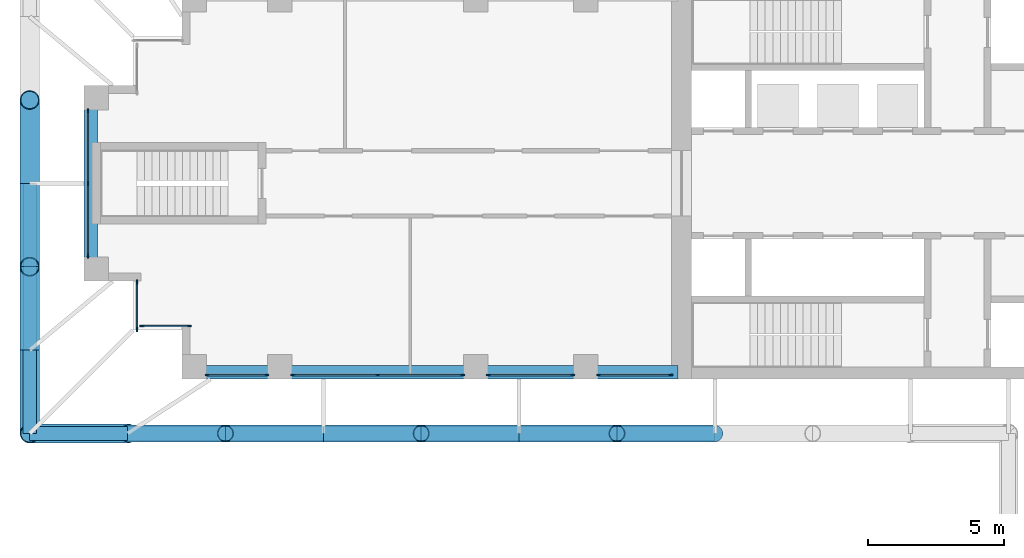
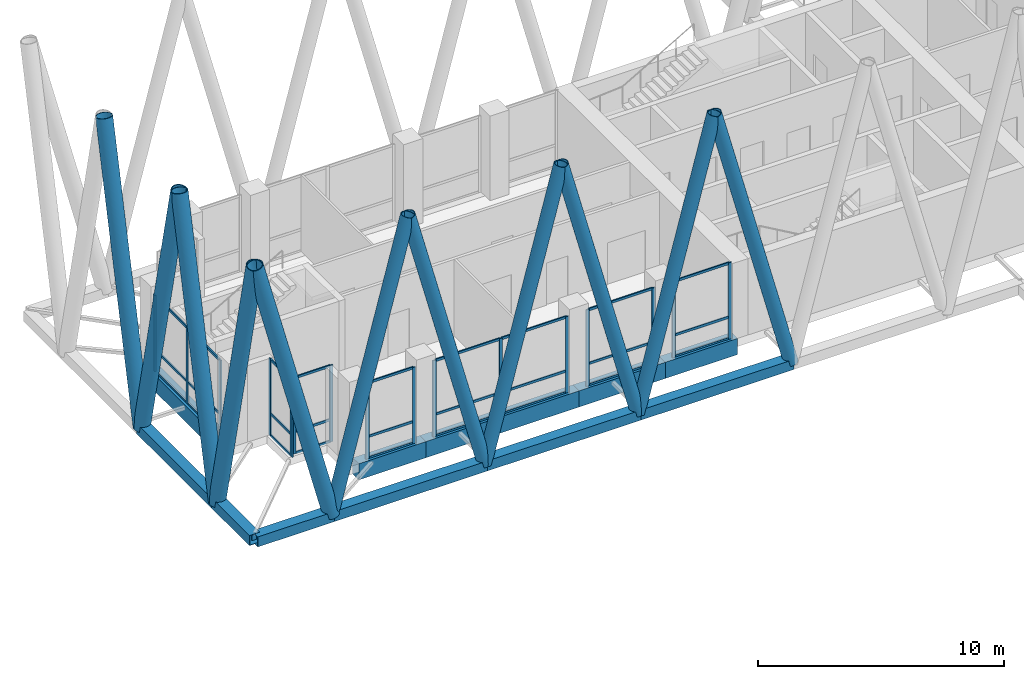
# One storey, part 3 of 22: 60 members, 5 beams, 7 elements without a shape of their own.
"""IFC4 building model written with IfcOpenShell, lengths in metres."""

from ifc_helpers import new_model, si_unit, direction, frame, origin, origin_2d, place, context, subcontext, project, spatial, rectangle, hollow_rectangle, hollow_circle, extrude, material, material_profile, profile_set, type_object, element, aggregate, save


model = new_model("IFC4")

# Units and contexts
model_context = context("Model", 3, precision=1e-05, world=origin(), true_north=direction((0.0, 1.0)))
body_context = subcontext(model_context, "Body", "Model", "MODEL_VIEW")
ifc_project = project(units=[si_unit("LENGTHUNIT", "METRE"), si_unit("AREAUNIT", "SQUARE_METRE"), si_unit("VOLUMEUNIT", "CUBIC_METRE"), si_unit("PLANEANGLEUNIT", "RADIAN"), si_unit("MASSUNIT", "GRAM", prefix="KILO")], contexts=[model_context])

# Site, building, storey
site_placement = place(None, origin())
site = spatial("IfcSite", under=ifc_project, at=site_placement, CompositionType="ELEMENT")
building_placement = place(site_placement, origin())
building = spatial("IfcBuilding", under=site, at=building_placement, Name="Fustian Cross Tower", CompositionType="ELEMENT")
storey_placement = place(building_placement, frame((0.0, 0.0, 116.10009765625)))
storey = spatial("IfcBuildingStorey", under=building, at=storey_placement, Name="L36", CompositionType="ELEMENT", Elevation=116.10009765625)

# Curtain wall, members
ifc_material_1 = material(Name="Dark anodised aluminium and double glazing", Category="aluminium")
curtain_wall_type = type_object("IfcCurtainWallType", Name="CW1 LOUNGE CURTAIN WALL", PredefinedType="NOTDEFINED", material=ifc_material_1)
curtain_wall_1_placement = place(storey_placement, origin())
curtain_wall_1 = element("IfcCurtainWall", 1, at=curtain_wall_1_placement, inside=storey, type_object=curtain_wall_type, Name="Curtain wall", PredefinedType="NOTDEFINED")
ifc_material_2 = material(Name="Aluminium alloy 6063", Category="aluminium")
ifc_material_profile_1 = material_profile(ifc_material_2, rectangle(XDim=0.06005859375, YDim=0.159912109375, at=origin_2d()), Name="CW1 MULLION 60X160")
ifc_profile_set_1 = profile_set([ifc_material_profile_1], Name="Aluminium alloy 6063")
member_type_1 = type_object("IfcMemberType", Name="CW1 MULLION 60X160", PredefinedType="MULLION", material=ifc_profile_set_1)
member_1_placement = place(storey_placement, frame((-43.050048828125, 2.669921875, 0.0), z_axis=(0.0, 0.0, 1.0), x_axis=(1.0, 0.0, 0.0)))
member_1 = element("IfcMember", 2, at=member_1_placement, type_object=member_type_1, Name="CW1 mullion 1", PredefinedType="MULLION", context=body_context, shape_type="SweptSolid", body=[
    extrude(rectangle(XDim=0.06005859375, YDim=0.159912109375, at=origin_2d()), origin(), (0.0, 0.0, 1.0), 3.7998046875),
])
member_2_placement = place(storey_placement, frame((-43.050048828125, 0.0, 0.0), z_axis=(0.0, 0.0, 1.0), x_axis=(1.0, 0.0, 0.0)))
member_2 = element("IfcMember", 3, at=member_2_placement, type_object=member_type_1, Name="CW1 mullion 2", PredefinedType="MULLION", context=body_context, shape_type="SweptSolid", body=[
    extrude(rectangle(XDim=0.06005859375, YDim=0.159912109375, at=origin_2d()), origin(), (0.0, 0.0, 1.0), 3.7998046875),
])
member_3_placement = place(storey_placement, frame((-43.050048828125, -2.669921875, 0.0), z_axis=(0.0, 0.0, 1.0), x_axis=(1.0, 0.0, 0.0)))
member_3 = element("IfcMember", 4, at=member_3_placement, type_object=member_type_1, Name="CW1 mullion 3", PredefinedType="MULLION", context=body_context, shape_type="SweptSolid", body=[
    extrude(rectangle(XDim=0.06005859375, YDim=0.159912109375, at=origin_2d()), origin(), (0.0, 0.0, 1.0), 3.7998046875),
])

curtain_wall_2_placement = place(storey_placement, origin())
curtain_wall_2 = element("IfcCurtainWall", 5, at=curtain_wall_2_placement, inside=storey, type_object=curtain_wall_type, Name="Curtain wall", PredefinedType="NOTDEFINED")
member_4_placement = place(storey_placement, frame((-41.25, -3.6298828125, 0.0), z_axis=(0.0, 0.0, 1.0), x_axis=(1.0, 0.0, 0.0)))
member_4 = element("IfcMember", 6, at=member_4_placement, type_object=member_type_1, Name="CW1 mullion 1", PredefinedType="MULLION", context=body_context, shape_type="SweptSolid", body=[
    extrude(rectangle(XDim=0.06005859375, YDim=0.159912109375, at=origin_2d()), origin(), (0.0, 0.0, 1.0), 3.7998046875),
])
member_5_placement = place(storey_placement, frame((-41.25, -5.3701171875, 0.0), z_axis=(0.0, 0.0, 1.0), x_axis=(1.0, 0.0, 0.0)))
member_5 = element("IfcMember", 7, at=member_5_placement, type_object=member_type_1, Name="CW1 mullion 2", PredefinedType="MULLION", context=body_context, shape_type="SweptSolid", body=[
    extrude(rectangle(XDim=0.06005859375, YDim=0.159912109375, at=origin_2d()), origin(), (0.0, 0.0, 1.0), 3.7998046875),
])

curtain_wall_3_placement = place(storey_placement, origin())
curtain_wall_3 = element("IfcCurtainWall", 8, at=curtain_wall_3_placement, inside=storey, type_object=curtain_wall_type, Name="Curtain wall", PredefinedType="NOTDEFINED")
member_6_placement = place(storey_placement, frame((-41.070068359375, -5.25, 0.0), z_axis=(0.0, 0.0, 1.0), x_axis=(0.0, 1.0, 0.0)))
member_6 = element("IfcMember", 9, at=member_6_placement, type_object=member_type_1, Name="CW1 mullion 1", PredefinedType="MULLION", context=body_context, shape_type="SweptSolid", body=[
    extrude(rectangle(XDim=0.06005859375, YDim=0.159912109375, at=origin_2d()), origin(), (0.0, 0.0, 1.0), 3.7998046875),
])
member_7_placement = place(storey_placement, frame((-39.330078125, -5.25, 0.0), z_axis=(0.0, 0.0, 1.0), x_axis=(0.0, 1.0, 0.0)))
member_7 = element("IfcMember", 10, at=member_7_placement, type_object=member_type_1, Name="CW1 mullion 2", PredefinedType="MULLION", context=body_context, shape_type="SweptSolid", body=[
    extrude(rectangle(XDim=0.06005859375, YDim=0.159912109375, at=origin_2d()), origin(), (0.0, 0.0, 1.0), 3.7998046875),
])

curtain_wall_4_placement = place(storey_placement, origin())
curtain_wall_4 = element("IfcCurtainWall", 11, at=curtain_wall_4_placement, inside=storey, type_object=curtain_wall_type, Name="Curtain wall", PredefinedType="NOTDEFINED")
member_8_placement = place(storey_placement, frame((-38.669921875, -7.050048828125, 0.0), z_axis=(0.0, 0.0, 1.0), x_axis=(0.0, 1.0, 0.0)))
member_8 = element("IfcMember", 12, at=member_8_placement, type_object=member_type_1, Name="CW1 mullion 1", PredefinedType="MULLION", context=body_context, shape_type="SweptSolid", body=[
    extrude(rectangle(XDim=0.06005859375, YDim=0.159912109375, at=origin_2d()), origin(), (0.0, 0.0, 1.0), 3.7998046875),
])
member_9_placement = place(storey_placement, frame((-36.47998046875, -7.050048828125, 0.0), z_axis=(0.0, 0.0, 1.0), x_axis=(0.0, 1.0, 0.0)))
member_9 = element("IfcMember", 13, at=member_9_placement, type_object=member_type_1, Name="CW1 mullion 2", PredefinedType="MULLION", context=body_context, shape_type="SweptSolid", body=[
    extrude(rectangle(XDim=0.06005859375, YDim=0.159912109375, at=origin_2d()), origin(), (0.0, 0.0, 1.0), 3.7998046875),
])

curtain_wall_5_placement = place(storey_placement, origin())
curtain_wall_5 = element("IfcCurtainWall", 14, at=curtain_wall_5_placement, inside=storey, type_object=curtain_wall_type, Name="Curtain wall", PredefinedType="NOTDEFINED")
member_10_placement = place(storey_placement, frame((-35.52001953125, -7.050048828125, 0.0), z_axis=(0.0, 0.0, 1.0), x_axis=(0.0, 1.0, 0.0)))
member_10 = element("IfcMember", 15, at=member_10_placement, type_object=member_type_1, Name="CW1 mullion 1", PredefinedType="MULLION", context=body_context, shape_type="SweptSolid", body=[
    extrude(rectangle(XDim=0.06005859375, YDim=0.159912109375, at=origin_2d()), origin(), (0.0, 0.0, 1.0), 3.7998046875),
])
member_11_placement = place(storey_placement, frame((-32.39990234375, -7.050048828125, 0.0), z_axis=(0.0, 0.0, 1.0), x_axis=(0.0, 1.0, 0.0)))
member_11 = element("IfcMember", 16, at=member_11_placement, type_object=member_type_1, Name="CW1 mullion 2", PredefinedType="MULLION", context=body_context, shape_type="SweptSolid", body=[
    extrude(rectangle(XDim=0.06005859375, YDim=0.159912109375, at=origin_2d()), origin(), (0.0, 0.0, 1.0), 3.7998046875),
])
member_12_placement = place(storey_placement, frame((-29.280029296875, -7.050048828125, 0.0), z_axis=(0.0, 0.0, 1.0), x_axis=(0.0, 1.0, 0.0)))
member_12 = element("IfcMember", 17, at=member_12_placement, type_object=member_type_1, Name="CW1 mullion 3", PredefinedType="MULLION", context=body_context, shape_type="SweptSolid", body=[
    extrude(rectangle(XDim=0.06005859375, YDim=0.159912109375, at=origin_2d()), origin(), (0.0, 0.0, 1.0), 3.7998046875),
])

curtain_wall_6_placement = place(storey_placement, origin())
curtain_wall_6 = element("IfcCurtainWall", 18, at=curtain_wall_6_placement, inside=storey, type_object=curtain_wall_type, Name="Curtain wall", PredefinedType="NOTDEFINED")
member_13_placement = place(storey_placement, frame((-28.320068359375, -7.050048828125, 0.0), z_axis=(0.0, 0.0, 1.0), x_axis=(0.0, 1.0, 0.0)))
member_13 = element("IfcMember", 19, at=member_13_placement, type_object=member_type_1, Name="CW1 mullion 1", PredefinedType="MULLION", context=body_context, shape_type="SweptSolid", body=[
    extrude(rectangle(XDim=0.06005859375, YDim=0.159912109375, at=origin_2d()), origin(), (0.0, 0.0, 1.0), 3.7998046875),
])
member_14_placement = place(storey_placement, frame((-25.22998046875, -7.050048828125, 0.0), z_axis=(0.0, 0.0, 1.0), x_axis=(0.0, 1.0, 0.0)))
member_14 = element("IfcMember", 20, at=member_14_placement, type_object=member_type_1, Name="CW1 mullion 2", PredefinedType="MULLION", context=body_context, shape_type="SweptSolid", body=[
    extrude(rectangle(XDim=0.06005859375, YDim=0.159912109375, at=origin_2d()), origin(), (0.0, 0.0, 1.0), 3.7998046875),
])

curtain_wall_7_placement = place(storey_placement, origin())
curtain_wall_7 = element("IfcCurtainWall", 21, at=curtain_wall_7_placement, inside=storey, type_object=curtain_wall_type, Name="Curtain wall", PredefinedType="NOTDEFINED")
member_15_placement = place(storey_placement, frame((-24.27001953125, -7.050048828125, 0.0), z_axis=(0.0, 0.0, 1.0), x_axis=(0.0, 1.0, 0.0)))
member_15 = element("IfcMember", 22, at=member_15_placement, type_object=member_type_1, Name="CW1 mullion 1", PredefinedType="MULLION", context=body_context, shape_type="SweptSolid", body=[
    extrude(rectangle(XDim=0.06005859375, YDim=0.159912109375, at=origin_2d()), origin(), (0.0, 0.0, 1.0), 3.7998046875),
])
member_16_placement = place(storey_placement, frame((-21.6298828125, -7.050048828125, 0.0), z_axis=(0.0, 0.0, 1.0), x_axis=(0.0, 1.0, 0.0)))
member_16 = element("IfcMember", 23, at=member_16_placement, type_object=member_type_1, Name="CW1 mullion 2", PredefinedType="MULLION", context=body_context, shape_type="SweptSolid", body=[
    extrude(rectangle(XDim=0.06005859375, YDim=0.159912109375, at=origin_2d()), origin(), (0.0, 0.0, 1.0), 3.7998046875),
])

# Member
ifc_material_3 = material(Name="Aluminium alloy 6063", Category="aluminium")
ifc_material_profile_2 = material_profile(ifc_material_3, rectangle(XDim=0.06005859375, YDim=0.1201171875, at=origin_2d()), Name="CW1 TRANSOM 60X120")
ifc_profile_set_2 = profile_set([ifc_material_profile_2], Name="Aluminium alloy 6063")
member_type_2 = type_object("IfcMemberType", Name="CW1 TRANSOM 60X120", PredefinedType="USERDEFINED", material=ifc_profile_set_2)
member_17_placement = place(storey_placement, frame((-43.050048828125, 2.639892578125, 0.02978515625), z_axis=(0.0, -1.0, 0.0), x_axis=(1.0, 0.0, 0.0)))
member_17 = element("IfcMember", 24, at=member_17_placement, type_object=member_type_2, Name="CW1 transom 1.1", ObjectType="TRANSOM", PredefinedType="USERDEFINED", context=body_context, shape_type="SweptSolid", body=[
    extrude(rectangle(XDim=0.06005859375, YDim=0.1201171875, at=origin_2d()), origin(), (0.0, 0.0, 1.0), 2.60986328125),
])

member_18_placement = place(storey_placement, frame((-43.050048828125, 2.639892578125, 1.099853515625), z_axis=(0.0, -1.0, 0.0), x_axis=(1.0, 0.0, 0.0)))
member_18 = element("IfcMember", 25, at=member_18_placement, type_object=member_type_2, Name="CW1 transom 1.2", ObjectType="TRANSOM", PredefinedType="USERDEFINED", context=body_context, shape_type="SweptSolid", body=[
    extrude(rectangle(XDim=0.06005859375, YDim=0.1201171875, at=origin_2d()), origin(), (0.0, 0.0, 1.0), 2.60986328125),
])

member_19_placement = place(storey_placement, frame((-43.050048828125, 2.639892578125, 3.77001953125), z_axis=(0.0, -1.0, 0.0), x_axis=(1.0, 0.0, 0.0)))
member_19 = element("IfcMember", 26, at=member_19_placement, type_object=member_type_2, Name="CW1 transom 1.3", ObjectType="TRANSOM", PredefinedType="USERDEFINED", context=body_context, shape_type="SweptSolid", body=[
    extrude(rectangle(XDim=0.06005859375, YDim=0.1201171875, at=origin_2d()), origin(), (0.0, 0.0, 1.0), 2.60986328125),
])

member_20_placement = place(storey_placement, frame((-43.050048828125, -0.030029296875, 0.02978515625), z_axis=(0.0, -1.0, 0.0), x_axis=(1.0, 0.0, 0.0)))
member_20 = element("IfcMember", 27, at=member_20_placement, type_object=member_type_2, Name="CW1 transom 2.1", ObjectType="TRANSOM", PredefinedType="USERDEFINED", context=body_context, shape_type="SweptSolid", body=[
    extrude(rectangle(XDim=0.06005859375, YDim=0.1201171875, at=origin_2d()), origin(), (0.0, 0.0, 1.0), 2.60986328125),
])

member_21_placement = place(storey_placement, frame((-43.050048828125, -0.030029296875, 1.099853515625), z_axis=(0.0, -1.0, 0.0), x_axis=(1.0, 0.0, 0.0)))
member_21 = element("IfcMember", 28, at=member_21_placement, type_object=member_type_2, Name="CW1 transom 2.2", ObjectType="TRANSOM", PredefinedType="USERDEFINED", context=body_context, shape_type="SweptSolid", body=[
    extrude(rectangle(XDim=0.06005859375, YDim=0.1201171875, at=origin_2d()), origin(), (0.0, 0.0, 1.0), 2.60986328125),
])

member_22_placement = place(storey_placement, frame((-43.050048828125, -0.030029296875, 3.77001953125), z_axis=(0.0, -1.0, 0.0), x_axis=(1.0, 0.0, 0.0)))
member_22 = element("IfcMember", 29, at=member_22_placement, type_object=member_type_2, Name="CW1 transom 2.3", ObjectType="TRANSOM", PredefinedType="USERDEFINED", context=body_context, shape_type="SweptSolid", body=[
    extrude(rectangle(XDim=0.06005859375, YDim=0.1201171875, at=origin_2d()), origin(), (0.0, 0.0, 1.0), 2.60986328125),
])

aggregate(curtain_wall_1, [member_1, member_2, member_3, member_17, member_18, member_19, member_20, member_21, member_22])

member_23_placement = place(storey_placement, frame((-41.25, -3.659912109375, 0.02978515625), z_axis=(0.0, -1.0, 0.0), x_axis=(1.0, 0.0, 0.0)))
member_23 = element("IfcMember", 30, at=member_23_placement, type_object=member_type_2, Name="CW1 transom 1.1", ObjectType="TRANSOM", PredefinedType="USERDEFINED", context=body_context, shape_type="SweptSolid", body=[
    extrude(rectangle(XDim=0.06005859375, YDim=0.1201171875, at=origin_2d()), origin(), (0.0, 0.0, 1.0), 1.68017578125),
])

member_24_placement = place(storey_placement, frame((-41.25, -3.659912109375, 1.099853515625), z_axis=(0.0, -1.0, 0.0), x_axis=(1.0, 0.0, 0.0)))
member_24 = element("IfcMember", 31, at=member_24_placement, type_object=member_type_2, Name="CW1 transom 1.2", ObjectType="TRANSOM", PredefinedType="USERDEFINED", context=body_context, shape_type="SweptSolid", body=[
    extrude(rectangle(XDim=0.06005859375, YDim=0.1201171875, at=origin_2d()), origin(), (0.0, 0.0, 1.0), 1.68017578125),
])

member_25_placement = place(storey_placement, frame((-41.25, -3.659912109375, 3.77001953125), z_axis=(0.0, -1.0, 0.0), x_axis=(1.0, 0.0, 0.0)))
member_25 = element("IfcMember", 32, at=member_25_placement, type_object=member_type_2, Name="CW1 transom 1.3", ObjectType="TRANSOM", PredefinedType="USERDEFINED", context=body_context, shape_type="SweptSolid", body=[
    extrude(rectangle(XDim=0.06005859375, YDim=0.1201171875, at=origin_2d()), origin(), (0.0, 0.0, 1.0), 1.68017578125),
])

aggregate(curtain_wall_2, [member_4, member_5, member_23, member_24, member_25])

member_26_placement = place(storey_placement, frame((-41.0400390625, -5.25, 0.02978515625), z_axis=(1.0, 0.0, 0.0), x_axis=(0.0, 1.0, 0.0)))
member_26 = element("IfcMember", 33, at=member_26_placement, type_object=member_type_2, Name="CW1 transom 1.1", ObjectType="TRANSOM", PredefinedType="USERDEFINED", context=body_context, shape_type="SweptSolid", body=[
    extrude(rectangle(XDim=0.06005859375, YDim=0.1201171875, at=origin_2d()), origin(), (0.0, 0.0, 1.0), 1.679931640625),
])

member_27_placement = place(storey_placement, frame((-41.0400390625, -5.25, 1.099853515625), z_axis=(1.0, 0.0, 0.0), x_axis=(0.0, 1.0, 0.0)))
member_27 = element("IfcMember", 34, at=member_27_placement, type_object=member_type_2, Name="CW1 transom 1.2", ObjectType="TRANSOM", PredefinedType="USERDEFINED", context=body_context, shape_type="SweptSolid", body=[
    extrude(rectangle(XDim=0.06005859375, YDim=0.1201171875, at=origin_2d()), origin(), (0.0, 0.0, 1.0), 1.679931640625),
])

member_28_placement = place(storey_placement, frame((-41.0400390625, -5.25, 3.77001953125), z_axis=(1.0, 0.0, 0.0), x_axis=(0.0, 1.0, 0.0)))
member_28 = element("IfcMember", 35, at=member_28_placement, type_object=member_type_2, Name="CW1 transom 1.3", ObjectType="TRANSOM", PredefinedType="USERDEFINED", context=body_context, shape_type="SweptSolid", body=[
    extrude(rectangle(XDim=0.06005859375, YDim=0.1201171875, at=origin_2d()), origin(), (0.0, 0.0, 1.0), 1.679931640625),
])

aggregate(curtain_wall_3, [member_6, member_7, member_26, member_27, member_28])

member_29_placement = place(storey_placement, frame((-38.639892578125, -7.050048828125, 0.02978515625), z_axis=(1.0, 0.0, 0.0), x_axis=(0.0, 1.0, 0.0)))
member_29 = element("IfcMember", 36, at=member_29_placement, type_object=member_type_2, Name="CW1 transom 1.1", ObjectType="TRANSOM", PredefinedType="USERDEFINED", context=body_context, shape_type="SweptSolid", body=[
    extrude(rectangle(XDim=0.06005859375, YDim=0.1201171875, at=origin_2d()), origin(), (0.0, 0.0, 1.0), 2.1298828125),
])

member_30_placement = place(storey_placement, frame((-38.639892578125, -7.050048828125, 1.099853515625), z_axis=(1.0, 0.0, 0.0), x_axis=(0.0, 1.0, 0.0)))
member_30 = element("IfcMember", 37, at=member_30_placement, type_object=member_type_2, Name="CW1 transom 1.2", ObjectType="TRANSOM", PredefinedType="USERDEFINED", context=body_context, shape_type="SweptSolid", body=[
    extrude(rectangle(XDim=0.06005859375, YDim=0.1201171875, at=origin_2d()), origin(), (0.0, 0.0, 1.0), 2.1298828125),
])

member_31_placement = place(storey_placement, frame((-38.639892578125, -7.050048828125, 3.77001953125), z_axis=(1.0, 0.0, 0.0), x_axis=(0.0, 1.0, 0.0)))
member_31 = element("IfcMember", 38, at=member_31_placement, type_object=member_type_2, Name="CW1 transom 1.3", ObjectType="TRANSOM", PredefinedType="USERDEFINED", context=body_context, shape_type="SweptSolid", body=[
    extrude(rectangle(XDim=0.06005859375, YDim=0.1201171875, at=origin_2d()), origin(), (0.0, 0.0, 1.0), 2.1298828125),
])

aggregate(curtain_wall_4, [member_8, member_9, member_29, member_30, member_31])

member_32_placement = place(storey_placement, frame((-35.489990234375, -7.050048828125, 0.02978515625), z_axis=(1.0, 0.0, 0.0), x_axis=(0.0, 1.0, 0.0)))
member_32 = element("IfcMember", 39, at=member_32_placement, type_object=member_type_2, Name="CW1 transom 1.1", ObjectType="TRANSOM", PredefinedType="USERDEFINED", context=body_context, shape_type="SweptSolid", body=[
    extrude(rectangle(XDim=0.06005859375, YDim=0.1201171875, at=origin_2d()), origin(), (0.0, 0.0, 1.0), 3.06005859375),
])

member_33_placement = place(storey_placement, frame((-35.489990234375, -7.050048828125, 1.099853515625), z_axis=(1.0, 0.0, 0.0), x_axis=(0.0, 1.0, 0.0)))
member_33 = element("IfcMember", 40, at=member_33_placement, type_object=member_type_2, Name="CW1 transom 1.2", ObjectType="TRANSOM", PredefinedType="USERDEFINED", context=body_context, shape_type="SweptSolid", body=[
    extrude(rectangle(XDim=0.06005859375, YDim=0.1201171875, at=origin_2d()), origin(), (0.0, 0.0, 1.0), 3.06005859375),
])

member_34_placement = place(storey_placement, frame((-35.489990234375, -7.050048828125, 3.77001953125), z_axis=(1.0, 0.0, 0.0), x_axis=(0.0, 1.0, 0.0)))
member_34 = element("IfcMember", 41, at=member_34_placement, type_object=member_type_2, Name="CW1 transom 1.3", ObjectType="TRANSOM", PredefinedType="USERDEFINED", context=body_context, shape_type="SweptSolid", body=[
    extrude(rectangle(XDim=0.06005859375, YDim=0.1201171875, at=origin_2d()), origin(), (0.0, 0.0, 1.0), 3.06005859375),
])

member_35_placement = place(storey_placement, frame((-32.3701171875, -7.050048828125, 0.02978515625), z_axis=(1.0, 0.0, 0.0), x_axis=(0.0, 1.0, 0.0)))
member_35 = element("IfcMember", 42, at=member_35_placement, type_object=member_type_2, Name="CW1 transom 2.1", ObjectType="TRANSOM", PredefinedType="USERDEFINED", context=body_context, shape_type="SweptSolid", body=[
    extrude(rectangle(XDim=0.06005859375, YDim=0.1201171875, at=origin_2d()), origin(), (0.0, 0.0, 1.0), 3.06005859375),
])

member_36_placement = place(storey_placement, frame((-32.3701171875, -7.050048828125, 1.099853515625), z_axis=(1.0, 0.0, 0.0), x_axis=(0.0, 1.0, 0.0)))
member_36 = element("IfcMember", 43, at=member_36_placement, type_object=member_type_2, Name="CW1 transom 2.2", ObjectType="TRANSOM", PredefinedType="USERDEFINED", context=body_context, shape_type="SweptSolid", body=[
    extrude(rectangle(XDim=0.06005859375, YDim=0.1201171875, at=origin_2d()), origin(), (0.0, 0.0, 1.0), 3.06005859375),
])

member_37_placement = place(storey_placement, frame((-32.3701171875, -7.050048828125, 3.77001953125), z_axis=(1.0, 0.0, 0.0), x_axis=(0.0, 1.0, 0.0)))
member_37 = element("IfcMember", 44, at=member_37_placement, type_object=member_type_2, Name="CW1 transom 2.3", ObjectType="TRANSOM", PredefinedType="USERDEFINED", context=body_context, shape_type="SweptSolid", body=[
    extrude(rectangle(XDim=0.06005859375, YDim=0.1201171875, at=origin_2d()), origin(), (0.0, 0.0, 1.0), 3.06005859375),
])

aggregate(curtain_wall_5, [member_10, member_11, member_12, member_32, member_33, member_34, member_35, member_36, member_37])

member_38_placement = place(storey_placement, frame((-28.2900390625, -7.050048828125, 0.02978515625), z_axis=(1.0, 0.0, 0.0), x_axis=(0.0, 1.0, 0.0)))
member_38 = element("IfcMember", 45, at=member_38_placement, type_object=member_type_2, Name="CW1 transom 1.1", ObjectType="TRANSOM", PredefinedType="USERDEFINED", context=body_context, shape_type="SweptSolid", body=[
    extrude(rectangle(XDim=0.06005859375, YDim=0.1201171875, at=origin_2d()), origin(), (0.0, 0.0, 1.0), 3.030029296875),
])

member_39_placement = place(storey_placement, frame((-28.2900390625, -7.050048828125, 1.099853515625), z_axis=(1.0, 0.0, 0.0), x_axis=(0.0, 1.0, 0.0)))
member_39 = element("IfcMember", 46, at=member_39_placement, type_object=member_type_2, Name="CW1 transom 1.2", ObjectType="TRANSOM", PredefinedType="USERDEFINED", context=body_context, shape_type="SweptSolid", body=[
    extrude(rectangle(XDim=0.06005859375, YDim=0.1201171875, at=origin_2d()), origin(), (0.0, 0.0, 1.0), 3.030029296875),
])

member_40_placement = place(storey_placement, frame((-28.2900390625, -7.050048828125, 3.77001953125), z_axis=(1.0, 0.0, 0.0), x_axis=(0.0, 1.0, 0.0)))
member_40 = element("IfcMember", 47, at=member_40_placement, type_object=member_type_2, Name="CW1 transom 1.3", ObjectType="TRANSOM", PredefinedType="USERDEFINED", context=body_context, shape_type="SweptSolid", body=[
    extrude(rectangle(XDim=0.06005859375, YDim=0.1201171875, at=origin_2d()), origin(), (0.0, 0.0, 1.0), 3.030029296875),
])

aggregate(curtain_wall_6, [member_13, member_14, member_38, member_39, member_40])

member_41_placement = place(storey_placement, frame((-24.239990234375, -7.050048828125, 0.02978515625), z_axis=(1.0, 0.0, 0.0), x_axis=(0.0, 1.0, 0.0)))
member_41 = element("IfcMember", 48, at=member_41_placement, type_object=member_type_2, Name="CW1 transom 1.1", ObjectType="TRANSOM", PredefinedType="USERDEFINED", context=body_context, shape_type="SweptSolid", body=[
    extrude(rectangle(XDim=0.06005859375, YDim=0.1201171875, at=origin_2d()), origin(), (0.0, 0.0, 1.0), 2.580078125),
])

member_42_placement = place(storey_placement, frame((-24.239990234375, -7.050048828125, 1.099853515625), z_axis=(1.0, 0.0, 0.0), x_axis=(0.0, 1.0, 0.0)))
member_42 = element("IfcMember", 49, at=member_42_placement, type_object=member_type_2, Name="CW1 transom 1.2", ObjectType="TRANSOM", PredefinedType="USERDEFINED", context=body_context, shape_type="SweptSolid", body=[
    extrude(rectangle(XDim=0.06005859375, YDim=0.1201171875, at=origin_2d()), origin(), (0.0, 0.0, 1.0), 2.580078125),
])

member_43_placement = place(storey_placement, frame((-24.239990234375, -7.050048828125, 3.77001953125), z_axis=(1.0, 0.0, 0.0), x_axis=(0.0, 1.0, 0.0)))
member_43 = element("IfcMember", 50, at=member_43_placement, type_object=member_type_2, Name="CW1 transom 1.3", ObjectType="TRANSOM", PredefinedType="USERDEFINED", context=body_context, shape_type="SweptSolid", body=[
    extrude(rectangle(XDim=0.06005859375, YDim=0.1201171875, at=origin_2d()), origin(), (0.0, 0.0, 1.0), 2.580078125),
])

aggregate(curtain_wall_7, [member_15, member_16, member_41, member_42, member_43])

# Members
ifc_material_4 = material(Name="Steel S355", Category="steel")
ifc_material_profile_3 = material_profile(ifc_material_4, hollow_circle(Radius=0.3046875, WallThickness=0.02490234375, at=origin_2d()), Name="CHS 610x25")
ifc_profile_set_3 = profile_set([ifc_material_profile_3], Name="Steel S355")
member_type_3 = type_object("IfcMemberType", Name="DIAGRID DIAGONAL CHS 610x25", PredefinedType="BRACE", material=ifc_profile_set_3)
for number, where, z_axis, x_axis, name in (
    (51, (-41.60009765625, -9.199951171875, -0.400146484375), (0.255897330119, 0.0, 0.966703965254), (0.0, 1.0, 0.0), "Diagrid diagonal W-S 02"),
    (52, (-34.39990234375, -9.199951171875, -0.400146484375), (-0.255897330119, 0.0, 0.966703965254), (0.0, -1.0, 0.0), "Diagrid diagonal W-S 03"),
):
    element("IfcMember", number, at=place(storey_placement, frame(where, z_axis=z_axis, x_axis=x_axis)), inside=storey, type_object=member_type_3, Name=name, PredefinedType="BRACE", context=body_context, shape_type="SweptSolid", body=[
        extrude(hollow_circle(Radius=0.3046875, WallThickness=0.02490234375, at=origin_2d()), origin(), (0.0, 0.0, 1.0), 14.068603515625),
    ])
member_44_placement = place(storey_placement, frame((-34.39990234375, -9.199951171875, -0.400146484375), z_axis=(0.255881112712, 0.0, 0.966708258037), x_axis=(0.0, 1.0, 0.0)))
element("IfcMember", 53, at=member_44_placement, inside=storey, type_object=member_type_3, Name="Diagrid diagonal W-S 04", PredefinedType="BRACE", context=body_context, shape_type="SweptSolid", body=[
    extrude(hollow_circle(Radius=0.3046875, WallThickness=0.02490234375, at=origin_2d()), origin(), (0.0, 0.0, 1.0), 14.068359375),
])
member_45_placement = place(storey_placement, frame((-27.199951171875, -9.199951171875, -0.400146484375), z_axis=(-0.255897330119, 0.0, 0.966703965254), x_axis=(0.0, -1.0, 0.0)))
element("IfcMember", 54, at=member_45_placement, inside=storey, type_object=member_type_3, Name="Diagrid diagonal W-S 05", PredefinedType="BRACE", context=body_context, shape_type="SweptSolid", body=[
    extrude(hollow_circle(Radius=0.3046875, WallThickness=0.02490234375, at=origin_2d()), origin(), (0.0, 0.0, 1.0), 14.068603515625),
])
member_46_placement = place(storey_placement, frame((-27.199951171875, -9.199951171875, -0.400146484375), z_axis=(0.255881112712, 0.0, 0.966708258037), x_axis=(0.0, 1.0, 0.0)))
element("IfcMember", 55, at=member_46_placement, inside=storey, type_object=member_type_3, Name="Diagrid diagonal W-S 06", PredefinedType="BRACE", context=body_context, shape_type="SweptSolid", body=[
    extrude(hollow_circle(Radius=0.3046875, WallThickness=0.02490234375, at=origin_2d()), origin(), (0.0, 0.0, 1.0), 14.068359375),
])
member_47_placement = place(storey_placement, frame((-20.0, -9.199951171875, -0.400146484375), z_axis=(-0.255897330119, 0.0, 0.966703965254), x_axis=(0.0, -1.0, 0.0)))
element("IfcMember", 56, at=member_47_placement, inside=storey, type_object=member_type_3, Name="Diagrid diagonal W-S 07", PredefinedType="BRACE", context=body_context, shape_type="SweptSolid", body=[
    extrude(hollow_circle(Radius=0.3046875, WallThickness=0.02490234375, at=origin_2d()), origin(), (0.0, 0.0, 1.0), 14.068603515625),
])
ifc_material_5 = material(Name="Steel S355", Category="steel")
ifc_material_profile_4 = material_profile(ifc_material_5, hollow_circle(Radius=0.355712890625, WallThickness=0.031982421875, at=origin_2d()), Name="CHS 711x32")
ifc_profile_set_4 = profile_set([ifc_material_profile_4], Name="Steel S355")
member_type_4 = type_object("IfcMemberType", Name="DIAGRID DIAGONAL CHS 711x32", PredefinedType="BRACE", material=ifc_profile_set_4)
for number, where, z_axis, x_axis, name in (
    (57, (-45.199951171875, 0.0, -0.400146484375), (0.0, 0.219964705168, 0.975507831071), (-1.0, 0.0, 0.0), "Diagrid diagonal W-end 03"),
    (58, (-45.199951171875, 0.0, -0.400146484375), (0.0, -0.219964705168, 0.975507831071), (1.0, 0.0, 0.0), "Diagrid diagonal W-end 04"),
    (59, (-45.199951171875, -6.13330078125, -0.400146484375), (0.0, 0.219964705168, 0.975507831071), (-1.0, 0.0, 0.0), "Diagrid diagonal W-end 05"),
    (60, (-45.199951171875, -6.13330078125, -0.400146484375), (0.0, -0.219964705168, 0.975507831071), (1.0, 0.0, 0.0), "Diagrid diagonal W-end 06"),
):
    element("IfcMember", number, at=place(storey_placement, frame(where, z_axis=z_axis, x_axis=x_axis)), inside=storey, type_object=member_type_4, Name=name, PredefinedType="BRACE", context=body_context, shape_type="SweptSolid", body=[
        extrude(hollow_circle(Radius=0.355712890625, WallThickness=0.031982421875, at=origin_2d()), origin(), (0.0, 0.0, 1.0), 13.941650390625),
    ])
member_48_placement = place(storey_placement, frame((-41.60009765625, -9.199951171875, -0.400146484375), z_axis=(-0.255881112712, 0.0, 0.966708258037), x_axis=(0.0, -1.0, 0.0)))
element("IfcMember", 61, at=member_48_placement, inside=storey, type_object=member_type_4, Name="Diagrid diagonal W-S 01", PredefinedType="BRACE", context=body_context, shape_type="SweptSolid", body=[
    extrude(hollow_circle(Radius=0.355712890625, WallThickness=0.031982421875, at=origin_2d()), origin(), (0.0, 0.0, 1.0), 14.068359375),
])
ifc_material_6 = material(Name="Steel S355", Category="steel")
ifc_material_profile_5 = material_profile(ifc_material_6, hollow_rectangle(XDim=0.5, YDim=0.5, WallThickness=0.02490234375, at=origin_2d()), Name="RHS 500x500x25")
ifc_profile_set_5 = profile_set([ifc_material_profile_5], Name="Steel S355")
member_type_5 = type_object("IfcMemberType", Name="DIAGRID RING RHS 500x500x25", PredefinedType="MEMBER", material=ifc_profile_set_5)
member_49_placement = place(storey_placement, frame((-45.199951171875, 0.0, -0.400146484375), z_axis=(0.0, -1.0, 0.0), x_axis=(1.0, 0.0, 0.0)))
element("IfcMember", 62, at=member_49_placement, inside=storey, type_object=member_type_5, Name="Diagrid ring L36-25 L36-26", PredefinedType="MEMBER", context=body_context, shape_type="SweptSolid", body=[
    extrude(hollow_rectangle(XDim=0.5, YDim=0.5, WallThickness=0.02490234375, at=origin_2d()), origin(), (0.0, 0.0, 1.0), 6.13330078125),
])
member_50_placement = place(storey_placement, frame((-45.199951171875, -6.13330078125, -0.400146484375), z_axis=(0.0, -1.0, 0.0), x_axis=(1.0, 0.0, 0.0)))
element("IfcMember", 63, at=member_50_placement, inside=storey, type_object=member_type_5, Name="Diagrid ring L36-26 L36-27", PredefinedType="MEMBER", context=body_context, shape_type="SweptSolid", body=[
    extrude(hollow_rectangle(XDim=0.5, YDim=0.5, WallThickness=0.02490234375, at=origin_2d()), origin(), (0.0, 0.0, 1.0), 3.066650390625),
])
member_51_placement = place(storey_placement, frame((-45.199951171875, -9.199951171875, -0.400146484375), z_axis=(1.0, 0.0, 0.0), x_axis=(0.0, 1.0, 0.0)))
element("IfcMember", 64, at=member_51_placement, inside=storey, type_object=member_type_5, Name="Diagrid ring L36-27 L36-28", PredefinedType="MEMBER", context=body_context, shape_type="SweptSolid", body=[
    extrude(hollow_rectangle(XDim=0.5, YDim=0.5, WallThickness=0.02490234375, at=origin_2d()), origin(), (0.0, 0.0, 1.0), 3.599853515625),
])
member_52_placement = place(storey_placement, frame((-41.60009765625, -9.199951171875, -0.400146484375), z_axis=(1.0, 0.0, 0.0), x_axis=(0.0, 1.0, 0.0)))
element("IfcMember", 65, at=member_52_placement, inside=storey, type_object=member_type_5, Name="Diagrid ring L36-28 L36-29", PredefinedType="MEMBER", context=body_context, shape_type="SweptSolid", body=[
    extrude(hollow_rectangle(XDim=0.5, YDim=0.5, WallThickness=0.02490234375, at=origin_2d()), origin(), (0.0, 0.0, 1.0), 7.2001953125),
])
for number, where, z_axis, x_axis, name in (
    (66, (-34.39990234375, -9.199951171875, -0.400146484375), (1.0, 0.0, 0.0), (0.0, 1.0, 0.0), "Diagrid ring L36-29 L36-30"),
    (67, (-27.199951171875, -9.199951171875, -0.400146484375), (1.0, 0.0, 0.0), (0.0, 1.0, 0.0), "Diagrid ring L36-30 L36-31"),
):
    element("IfcMember", number, at=place(storey_placement, frame(where, z_axis=z_axis, x_axis=x_axis)), inside=storey, type_object=member_type_5, Name=name, PredefinedType="MEMBER", context=body_context, shape_type="SweptSolid", body=[
        extrude(hollow_rectangle(XDim=0.5, YDim=0.5, WallThickness=0.02490234375, at=origin_2d()), origin(), (0.0, 0.0, 1.0), 7.199951171875),
    ])

# Beams
ifc_material_7 = material(Name="Concrete C50/60", Category="concrete")
ifc_material_profile_6 = material_profile(ifc_material_7, rectangle(XDim=0.5, YDim=0.800048828125, at=origin_2d()), Name="RC 500x800")
ifc_profile_set_6 = profile_set([ifc_material_profile_6], Name="Concrete C50/60")
beam_type = type_object("IfcBeamType", Name="EDGE BEAM RC 500x800 C50/60", PredefinedType="SPANDREL", material=ifc_profile_set_6)
beam_1_placement = place(storey_placement, frame((-42.949951171875, 3.14990234375, -0.400146484375), z_axis=(0.0, -1.0, 0.0), x_axis=(1.0, 0.0, 0.0)))
element("IfcBeam", 68, at=beam_1_placement, inside=storey, type_object=beam_type, Name="EDGE BEAM L36-23", PredefinedType="SPANDREL", context=body_context, shape_type="SweptSolid", body=[
    extrude(rectangle(XDim=0.5, YDim=0.800048828125, at=origin_2d()), origin(), (0.0, 0.0, 1.0), 6.2998046875),
])
beam_2_placement = place(storey_placement, frame((-39.14990234375, -6.949951171875, -0.400146484375), z_axis=(1.0, 0.0, 0.0), x_axis=(0.0, 1.0, 0.0)))
element("IfcBeam", 69, at=beam_2_placement, inside=storey, type_object=beam_type, Name="EDGE BEAM L36-24", PredefinedType="SPANDREL", context=body_context, shape_type="SweptSolid", body=[
    extrude(rectangle(XDim=0.5, YDim=0.800048828125, at=origin_2d()), origin(), (0.0, 0.0, 1.0), 3.14990234375),
])
beam_3_placement = place(storey_placement, frame((-36.0, -6.949951171875, -0.400146484375), z_axis=(1.0, 0.0, 0.0), x_axis=(0.0, 1.0, 0.0)))
element("IfcBeam", 70, at=beam_3_placement, inside=storey, type_object=beam_type, Name="EDGE BEAM L36-25", PredefinedType="SPANDREL", context=body_context, shape_type="SweptSolid", body=[
    extrude(rectangle(XDim=0.5, YDim=0.800048828125, at=origin_2d()), origin(), (0.0, 0.0, 1.0), 7.199951171875),
])
beam_4_placement = place(storey_placement, frame((-28.800048828125, -6.949951171875, -0.400146484375), z_axis=(1.0, 0.0, 0.0), x_axis=(0.0, 1.0, 0.0)))
element("IfcBeam", 71, at=beam_4_placement, inside=storey, type_object=beam_type, Name="EDGE BEAM L36-26", PredefinedType="SPANDREL", context=body_context, shape_type="SweptSolid", body=[
    extrude(rectangle(XDim=0.5, YDim=0.800048828125, at=origin_2d()), origin(), (0.0, 0.0, 1.0), 4.050048828125),
])
beam_5_placement = place(storey_placement, frame((-24.75, -6.949951171875, -0.400146484375), z_axis=(1.0, 0.0, 0.0), x_axis=(0.0, 1.0, 0.0)))
element("IfcBeam", 72, at=beam_5_placement, inside=storey, type_object=beam_type, Name="EDGE BEAM L36-27", PredefinedType="SPANDREL", context=body_context, shape_type="SweptSolid", body=[
    extrude(rectangle(XDim=0.5, YDim=0.800048828125, at=origin_2d()), origin(), (0.0, 0.0, 1.0), 3.39990234375),
])

save(model, "model.ifc")
